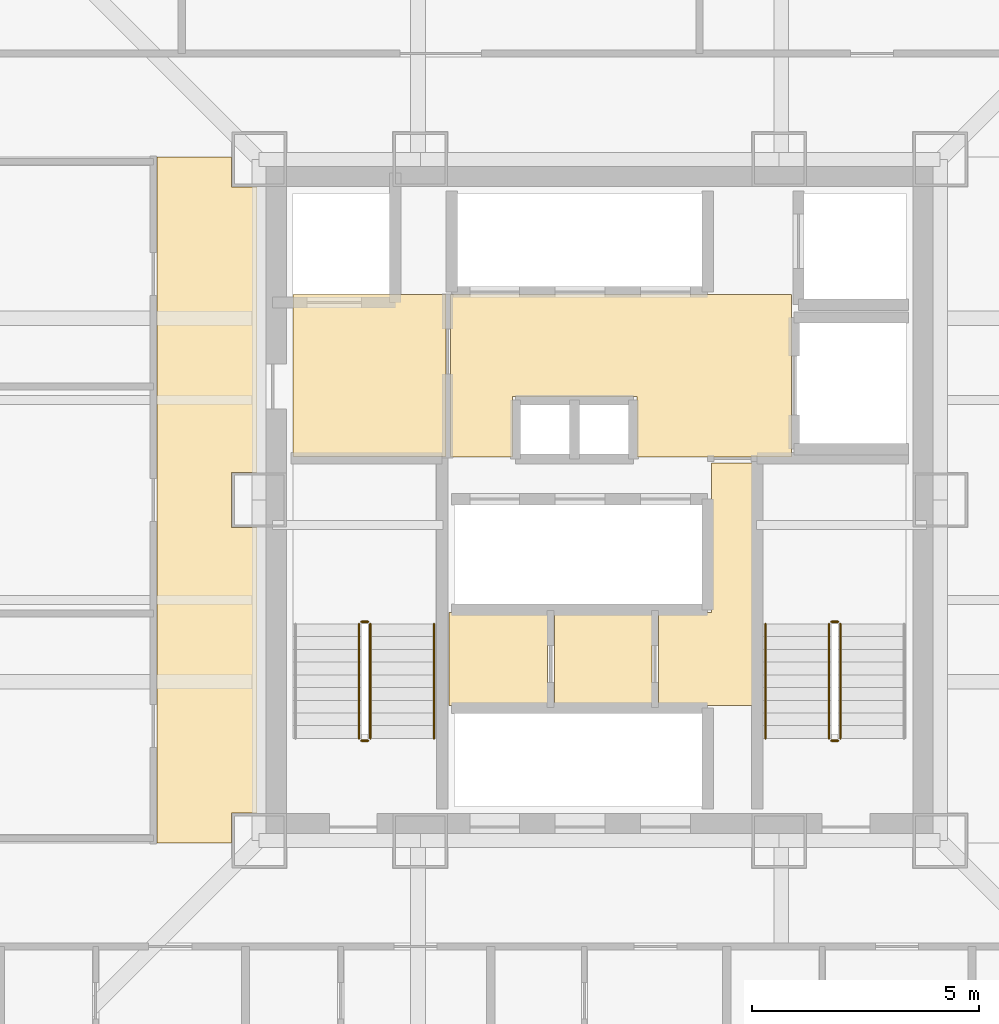
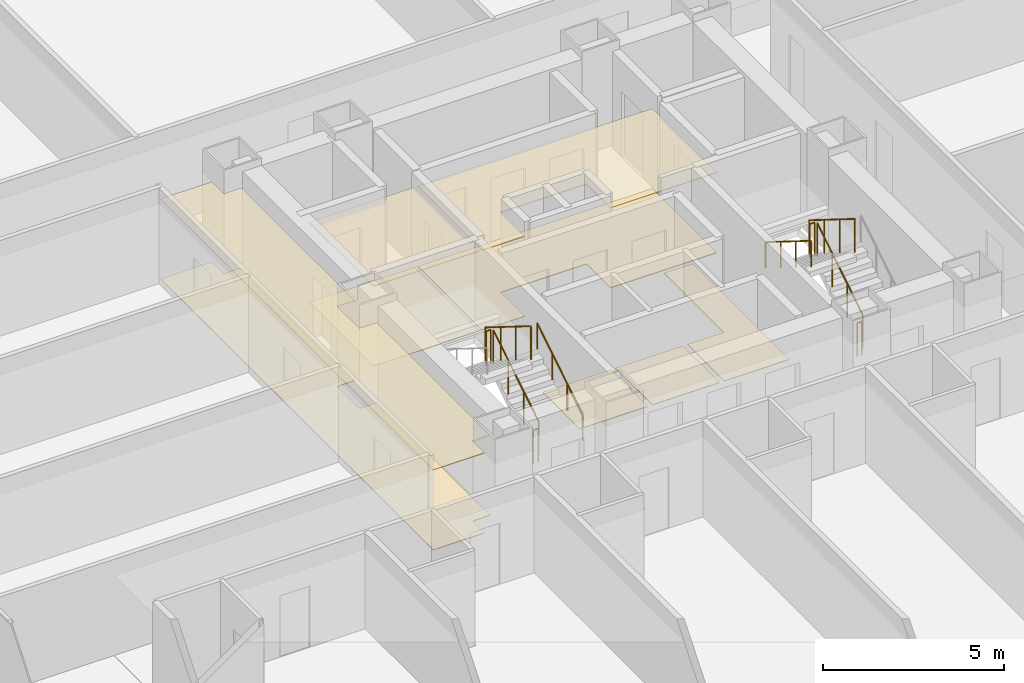
# One storey, part 19 of 20: 10 railings, 9 coverings.
"""IFC4 building model written with IfcOpenShell, lengths in metres."""

from ifc_helpers import new_model, si_unit, direction, frame, origin, origin_2d, place, context, subcontext, project, spatial, polyline, circle, outline, extrude, material, layer, layer_set, type_object, element, save


model = new_model("IFC4")

# Units and contexts
model_context = context("Model", 3, precision=1e-05, world=origin(), true_north=direction((0.0, 1.0)))
body_context = subcontext(model_context, "Body", "Model", "MODEL_VIEW")
ifc_project = project(units=[si_unit("LENGTHUNIT", "METRE"), si_unit("AREAUNIT", "SQUARE_METRE"), si_unit("VOLUMEUNIT", "CUBIC_METRE"), si_unit("PLANEANGLEUNIT", "RADIAN"), si_unit("MASSUNIT", "GRAM", prefix="KILO")], contexts=[model_context])

# Site, building, storey
site_placement = place(None, origin())
site = spatial("IfcSite", under=ifc_project, at=site_placement, CompositionType="ELEMENT")
building_placement = place(site_placement, origin())
building = spatial("IfcBuilding", under=site, at=building_placement, Name="Trevonay Congress Spire", CompositionType="ELEMENT")
storey_placement = place(building_placement, frame((0.0, 0.0, 76.0)))
storey = spatial("IfcBuildingStorey", under=building, at=storey_placement, Name="L19", CompositionType="ELEMENT", Elevation=76.0)

# Coverings
ifc_material_1 = material(Name="Acoustic Mineral Fibre Board", Category="gypsum")
ifc_layer_1 = layer(ifc_material_1, 0.02490234375, Name="Acoustic Mineral Fibre Board")
ifc_layer_set_1 = layer_set([ifc_layer_1], Name="Acoustic Mineral Fibre Board")
covering_type_1 = type_object("IfcCoveringType", Name="COV-CEIL-ACOUSTIC", PredefinedType="CEILING", material=ifc_layer_set_1)
covering_1_placement = place(storey_placement, frame((0.0, 0.0, 2.699951171875)))
element("IfcCovering", 1, at=covering_1_placement, inside=storey, type_object=covering_type_1, Name="L19 Firefighting Lift Lobby West acoustic suspended ceiling", PredefinedType="CEILING", context=body_context, shape_type="SweptSolid", body=[
    extrude(outline(polyline([(-6.75, 0.9599609375), (-3.3798828125, 0.9599609375), (-3.3798828125, 4.52001953125), (-6.75, 4.52001953125), (-6.75, 0.9599609375)])), origin(), (0.0, 0.0, 1.0), 0.025146484375),
])
covering_2_placement = place(storey_placement, frame((0.0, 0.0, 2.699951171875)))
element("IfcCovering", 2, at=covering_2_placement, inside=storey, type_object=covering_type_1, Name="L19 Central and High-Rise Passenger Lift Lobby acoustic suspended ceiling", PredefinedType="CEILING", context=body_context, shape_type="SweptSolid", body=[
    extrude(outline(polyline([(-3.280029296875, 0.949951171875), (-1.919921875, 0.949951171875), (-1.919921875, 2.280029296875), (0.820068359375, 2.280029296875), (0.820068359375, 0.949951171875), (4.219970703125, 0.949951171875), (4.219970703125, 4.52001953125), (-3.280029296875, 4.52001953125), (-3.280029296875, 0.949951171875)])), origin(), (0.0, 0.0, 1.0), 0.025146484375),
])
covering_3_placement = place(storey_placement, frame((0.0, 0.0, 2.699951171875)))
element("IfcCovering", 3, at=covering_3_placement, inside=storey, type_object=covering_type_1, Name="L19 Hotel Floor Corridor West acoustic suspended ceiling", PredefinedType="CEILING", context=body_context, shape_type="SweptSolid", body=[
    extrude(outline(polyline([(-9.75, 7.550048828125), (-8.110107421875, 7.550048828125), (-8.110107421875, 6.889892578125), (-7.550048828125, 6.889892578125), (-7.550048828125, 0.610107421875), (-8.110107421875, 0.610107421875), (-8.110107421875, -0.610107421875), (-7.550048828125, -0.610107421875), (-7.550048828125, -6.889892578125), (-8.110107421875, -6.889892578125), (-8.110107421875, -7.550048828125), (-9.75, -7.550048828125), (-9.75, 7.550048828125)])), origin(), (0.0, 0.0, 1.0), 0.025146484375),
])
ifc_material_2 = material(Name="Polished Granite Floor Tile", Category="masonry")
ifc_layer_2 = layer(ifc_material_2, 0.02001953125, Name="Polished Granite Floor Tile")
ifc_layer_set_2 = layer_set([ifc_layer_2], Name="Polished Granite Floor Tile")
covering_type_2 = type_object("IfcCoveringType", Name="COV-FLOOR-STONE", PredefinedType="FLOORING", material=ifc_layer_set_2)
covering_4_placement = place(storey_placement, origin())
element("IfcCovering", 4, at=covering_4_placement, inside=storey, type_object=covering_type_2, Name="L19 Firefighting Lift Lobby West floor finish", PredefinedType="FLOORING", context=body_context, shape_type="SweptSolid", body=[
    extrude(outline(polyline([(-6.75, 0.9599609375), (-3.3798828125, 0.9599609375), (-3.3798828125, 4.52001953125), (-6.75, 4.52001953125), (-6.75, 0.9599609375)])), origin(), (0.0, 0.0, 1.0), 0.02001953125),
])
covering_5_placement = place(storey_placement, origin())
element("IfcCovering", 5, at=covering_5_placement, inside=storey, type_object=covering_type_2, Name="L19 Central and High-Rise Passenger Lift Lobby floor finish", PredefinedType="FLOORING", context=body_context, shape_type="SweptSolid", body=[
    extrude(outline(polyline([(-3.280029296875, 0.949951171875), (-1.919921875, 0.949951171875), (-1.919921875, 2.280029296875), (0.820068359375, 2.280029296875), (0.820068359375, 0.949951171875), (4.219970703125, 0.949951171875), (4.219970703125, 4.52001953125), (-3.280029296875, 4.52001953125), (-3.280029296875, 0.949951171875)])), origin(), (0.0, 0.0, 1.0), 0.02001953125),
])
covering_6_placement = place(storey_placement, origin())
element("IfcCovering", 6, at=covering_6_placement, inside=storey, type_object=covering_type_2, Name="L19 Floor IT Patch Room floor finish", PredefinedType="FLOORING", context=body_context, shape_type="SweptSolid", body=[
    extrude(outline(polyline([(-3.320068359375, -4.52001953125), (-1.14990234375, -4.52001953125), (-1.14990234375, -2.47998046875), (-3.320068359375, -2.47998046875), (-3.320068359375, -4.52001953125)])), origin(), (0.0, 0.0, 1.0), 0.02001953125),
])
covering_7_placement = place(storey_placement, origin())
element("IfcCovering", 7, at=covering_7_placement, inside=storey, type_object=covering_type_2, Name="L19 Janitor Store floor finish", PredefinedType="FLOORING", context=body_context, shape_type="SweptSolid", body=[
    extrude(outline(polyline([(-1.0, -4.52001953125), (1.14990234375, -4.52001953125), (1.14990234375, -2.47998046875), (-1.0, -2.47998046875), (-1.0, -4.52001953125)])), origin(), (0.0, 0.0, 1.0), 0.02001953125),
])
covering_8_placement = place(storey_placement, origin())
element("IfcCovering", 8, at=covering_8_placement, inside=storey, type_object=covering_type_2, Name="L19 Core Metering Room floor finish", PredefinedType="FLOORING", context=body_context, shape_type="SweptSolid", body=[
    extrude(outline(polyline([(1.300048828125, -4.52001953125), (3.3798828125, -4.52001953125), (3.3798828125, 0.820068359375), (2.4599609375, 0.820068359375), (2.4599609375, -2.47998046875), (1.300048828125, -2.47998046875), (1.300048828125, -4.52001953125)])), origin(), (0.0, 0.0, 1.0), 0.02001953125),
])
covering_9_placement = place(storey_placement, origin())
element("IfcCovering", 9, at=covering_9_placement, inside=storey, type_object=covering_type_2, Name="L19 Hotel Floor Corridor West floor finish", PredefinedType="FLOORING", context=body_context, shape_type="SweptSolid", body=[
    extrude(outline(polyline([(-9.75, 7.550048828125), (-8.110107421875, 7.550048828125), (-8.110107421875, 6.889892578125), (-7.550048828125, 6.889892578125), (-7.550048828125, 0.610107421875), (-8.110107421875, 0.610107421875), (-8.110107421875, -0.610107421875), (-7.550048828125, -0.610107421875), (-7.550048828125, -6.889892578125), (-8.110107421875, -6.889892578125), (-8.110107421875, -7.550048828125), (-9.75, -7.550048828125), (-9.75, 7.550048828125)])), origin(), (0.0, 0.0, 1.0), 0.02001953125),
])

# Railings
ifc_material_3 = material(Name="Pale Anodised Aluminium EN AW-6063-T6", Category="aluminium")
railing_type_1 = type_object("IfcRailingType", Name="RAL-STAIR-GUARD-110", PredefinedType="GUARDRAIL", material=ifc_material_3)
railing_1_placement = place(storey_placement, frame((-5.050048828125, -5.25, 0.175048828125)))
element("IfcRailing", 10, at=railing_1_placement, inside=storey, type_object=railing_type_1, Name="L19 ST-1 stair guard 1", PredefinedType="GUARDRAIL", context=body_context, shape_type="SweptSolid", body=[
    extrude(circle(Radius=0.02392578125, at=origin_2d()), frame((0.0, 0.0, 1.1259765625), z_axis=(0.0, 0.848007534815, 0.529984170421), x_axis=(-1.0, 0.0, 0.0)), (0.0, 0.0, 1.0), 2.9716796875),
    extrude(circle(Radius=0.02099609375, at=origin_2d()), origin(), (0.0, 0.0, 1.0), 1.101806640625),
    extrude(circle(Radius=0.02099609375, at=origin_2d()), frame((0.0, 0.840087890625, 0.52490234375)), (0.0, 0.0, 1.0), 1.101806640625),
    extrude(circle(Radius=0.02099609375, at=origin_2d()), frame((0.0, 1.679931640625, 1.050048828125)), (0.0, 0.0, 1.0), 1.101806640625),
    extrude(circle(Radius=0.02099609375, at=origin_2d()), frame((0.0, 2.52001953125, 1.574951171875)), (0.0, 0.0, 1.0), 1.101806640625),
])
railing_2_placement = place(storey_placement, frame((-5.10009765625, -2.679931640625, 1.75)))
element("IfcRailing", 11, at=railing_2_placement, inside=storey, type_object=railing_type_1, Name="L19 ST-1 stair guard 2", PredefinedType="GUARDRAIL", context=body_context, shape_type="SweptSolid", body=[
    extrude(circle(Radius=0.02392578125, at=origin_2d()), frame((0.0, 0.0, 1.1259765625), z_axis=(-1.0, 0.0, 0.0), x_axis=(0.0, -1.0, 0.0)), (0.0, 0.0, 1.0), 0.14990234375),
    extrude(circle(Radius=0.02099609375, at=origin_2d()), origin(), (0.0, 0.0, 1.0), 1.101806640625),
    extrude(circle(Radius=0.02099609375, at=origin_2d()), frame((-0.14990234375, 0.0, 0.0)), (0.0, 0.0, 1.0), 1.101806640625),
])
railing_3_placement = place(storey_placement, frame((-5.300048828125, -2.72998046875, 1.925048828125)))
element("IfcRailing", 12, at=railing_3_placement, inside=storey, type_object=railing_type_1, Name="L19 ST-1 stair guard 3", PredefinedType="GUARDRAIL", context=body_context, shape_type="SweptSolid", body=[
    extrude(circle(Radius=0.02392578125, at=origin_2d()), frame((0.0, 0.0, 1.1259765625), z_axis=(0.0, -0.848007534815, 0.529984170421), x_axis=(1.0, 0.0, 0.0)), (0.0, 0.0, 1.0), 2.9716796875),
    extrude(circle(Radius=0.02099609375, at=origin_2d()), origin(), (0.0, 0.0, 1.0), 1.101806640625),
    extrude(circle(Radius=0.02099609375, at=origin_2d()), frame((0.0, -0.840087890625, 0.52490234375)), (0.0, 0.0, 1.0), 1.101806640625),
    extrude(circle(Radius=0.02099609375, at=origin_2d()), frame((0.0, -1.679931640625, 1.050048828125)), (0.0, 0.0, 1.0), 1.101806640625),
    extrude(circle(Radius=0.02099609375, at=origin_2d()), frame((0.0, -2.52001953125, 1.574951171875)), (0.0, 0.0, 1.0), 1.101806640625),
])
railing_4_placement = place(storey_placement, frame((-5.10009765625, -5.300048828125, 0.0)))
element("IfcRailing", 13, at=railing_4_placement, inside=storey, type_object=railing_type_1, Name="L19 ST-1 stair guard 4", PredefinedType="GUARDRAIL", context=body_context, shape_type="SweptSolid", body=[
    extrude(circle(Radius=0.02392578125, at=origin_2d()), frame((0.0, 0.0, 1.1259765625), z_axis=(-1.0, 0.0, 0.0), x_axis=(0.0, -1.0, 0.0)), (0.0, 0.0, 1.0), 0.14990234375),
    extrude(circle(Radius=0.02099609375, at=origin_2d()), origin(), (0.0, 0.0, 1.0), 1.101806640625),
    extrude(circle(Radius=0.02099609375, at=origin_2d()), frame((-0.14990234375, 0.0, 0.0)), (0.0, 0.0, 1.0), 1.101806640625),
])
railing_5_placement = place(storey_placement, frame((5.300048828125, -5.25, 0.175048828125)))
element("IfcRailing", 14, at=railing_5_placement, inside=storey, type_object=railing_type_1, Name="L19 ST-2 stair guard 1", PredefinedType="GUARDRAIL", context=body_context, shape_type="SweptSolid", body=[
    extrude(circle(Radius=0.02392578125, at=origin_2d()), frame((0.0, 0.0, 1.1259765625), z_axis=(0.0, 0.848007534815, 0.529984170421), x_axis=(-1.0, 0.0, 0.0)), (0.0, 0.0, 1.0), 2.9716796875),
    extrude(circle(Radius=0.02099609375, at=origin_2d()), origin(), (0.0, 0.0, 1.0), 1.101806640625),
    extrude(circle(Radius=0.02099609375, at=origin_2d()), frame((0.0, 0.840087890625, 0.52490234375)), (0.0, 0.0, 1.0), 1.101806640625),
    extrude(circle(Radius=0.02099609375, at=origin_2d()), frame((0.0, 1.679931640625, 1.050048828125)), (0.0, 0.0, 1.0), 1.101806640625),
    extrude(circle(Radius=0.02099609375, at=origin_2d()), frame((0.0, 2.52001953125, 1.574951171875)), (0.0, 0.0, 1.0), 1.101806640625),
])
railing_6_placement = place(storey_placement, frame((5.25, -2.679931640625, 1.75)))
element("IfcRailing", 15, at=railing_6_placement, inside=storey, type_object=railing_type_1, Name="L19 ST-2 stair guard 2", PredefinedType="GUARDRAIL", context=body_context, shape_type="SweptSolid", body=[
    extrude(circle(Radius=0.02392578125, at=origin_2d()), frame((0.0, 0.0, 1.1259765625), z_axis=(-1.0, 0.0, 0.0), x_axis=(0.0, -1.0, 0.0)), (0.0, 0.0, 1.0), 0.14990234375),
    extrude(circle(Radius=0.02099609375, at=origin_2d()), origin(), (0.0, 0.0, 1.0), 1.101806640625),
    extrude(circle(Radius=0.02099609375, at=origin_2d()), frame((-0.14990234375, 0.0, 0.0)), (0.0, 0.0, 1.0), 1.101806640625),
])
railing_7_placement = place(storey_placement, frame((5.050048828125, -2.72998046875, 1.925048828125)))
element("IfcRailing", 16, at=railing_7_placement, inside=storey, type_object=railing_type_1, Name="L19 ST-2 stair guard 3", PredefinedType="GUARDRAIL", context=body_context, shape_type="SweptSolid", body=[
    extrude(circle(Radius=0.02392578125, at=origin_2d()), frame((0.0, 0.0, 1.1259765625), z_axis=(0.0, -0.848007534815, 0.529984170421), x_axis=(1.0, 0.0, 0.0)), (0.0, 0.0, 1.0), 2.9716796875),
    extrude(circle(Radius=0.02099609375, at=origin_2d()), origin(), (0.0, 0.0, 1.0), 1.101806640625),
    extrude(circle(Radius=0.02099609375, at=origin_2d()), frame((0.0, -0.840087890625, 0.52490234375)), (0.0, 0.0, 1.0), 1.101806640625),
    extrude(circle(Radius=0.02099609375, at=origin_2d()), frame((0.0, -1.679931640625, 1.050048828125)), (0.0, 0.0, 1.0), 1.101806640625),
    extrude(circle(Radius=0.02099609375, at=origin_2d()), frame((0.0, -2.52001953125, 1.574951171875)), (0.0, 0.0, 1.0), 1.101806640625),
])
railing_8_placement = place(storey_placement, frame((5.25, -5.300048828125, 0.0)))
element("IfcRailing", 17, at=railing_8_placement, inside=storey, type_object=railing_type_1, Name="L19 ST-2 stair guard 4", PredefinedType="GUARDRAIL", context=body_context, shape_type="SweptSolid", body=[
    extrude(circle(Radius=0.02392578125, at=origin_2d()), frame((0.0, 0.0, 1.1259765625), z_axis=(-1.0, 0.0, 0.0), x_axis=(0.0, -1.0, 0.0)), (0.0, 0.0, 1.0), 0.14990234375),
    extrude(circle(Radius=0.02099609375, at=origin_2d()), origin(), (0.0, 0.0, 1.0), 1.101806640625),
    extrude(circle(Radius=0.02099609375, at=origin_2d()), frame((-0.14990234375, 0.0, 0.0)), (0.0, 0.0, 1.0), 1.101806640625),
])
railing_type_2 = type_object("IfcRailingType", Name="RAL-STAIR-HANDRAIL", PredefinedType="HANDRAIL", material=ifc_material_3)
railing_9_placement = place(storey_placement, frame((-3.64990234375, -5.25, 0.175048828125)))
element("IfcRailing", 18, at=railing_9_placement, inside=storey, type_object=railing_type_2, Name="L19 ST-1 stair handrail 1", PredefinedType="HANDRAIL", context=body_context, shape_type="SweptSolid", body=[
    extrude(circle(Radius=0.02392578125, at=origin_2d()), frame((0.0, 0.0, 0.8759765625), z_axis=(0.0, 0.848007534815, 0.529984170421), x_axis=(-1.0, 0.0, 0.0)), (0.0, 0.0, 1.0), 2.9716796875),
    extrude(circle(Radius=0.02099609375, at=origin_2d()), origin(), (0.0, 0.0, 1.0), 0.851806640625),
    extrude(circle(Radius=0.02099609375, at=origin_2d()), frame((0.0, 0.840087890625, 0.52490234375)), (0.0, 0.0, 1.0), 0.851806640625),
    extrude(circle(Radius=0.02099609375, at=origin_2d()), frame((0.0, 1.679931640625, 1.050048828125)), (0.0, 0.0, 1.0), 0.851806640625),
    extrude(circle(Radius=0.02099609375, at=origin_2d()), frame((0.0, 2.52001953125, 1.574951171875)), (0.0, 0.0, 1.0), 0.851806640625),
])
railing_10_placement = place(storey_placement, frame((3.64990234375, -2.72998046875, 1.925048828125)))
element("IfcRailing", 19, at=railing_10_placement, inside=storey, type_object=railing_type_2, Name="L19 ST-2 stair handrail 2", PredefinedType="HANDRAIL", context=body_context, shape_type="SweptSolid", body=[
    extrude(circle(Radius=0.02392578125, at=origin_2d()), frame((0.0, 0.0, 0.8759765625), z_axis=(0.0, -0.848007534815, 0.529984170421), x_axis=(1.0, 0.0, 0.0)), (0.0, 0.0, 1.0), 2.9716796875),
    extrude(circle(Radius=0.02099609375, at=origin_2d()), origin(), (0.0, 0.0, 1.0), 0.851806640625),
    extrude(circle(Radius=0.02099609375, at=origin_2d()), frame((0.0, -0.840087890625, 0.52490234375)), (0.0, 0.0, 1.0), 0.851806640625),
    extrude(circle(Radius=0.02099609375, at=origin_2d()), frame((0.0, -1.679931640625, 1.050048828125)), (0.0, 0.0, 1.0), 0.851806640625),
    extrude(circle(Radius=0.02099609375, at=origin_2d()), frame((0.0, -2.52001953125, 1.574951171875)), (0.0, 0.0, 1.0), 0.851806640625),
])

save(model, "model.ifc")
